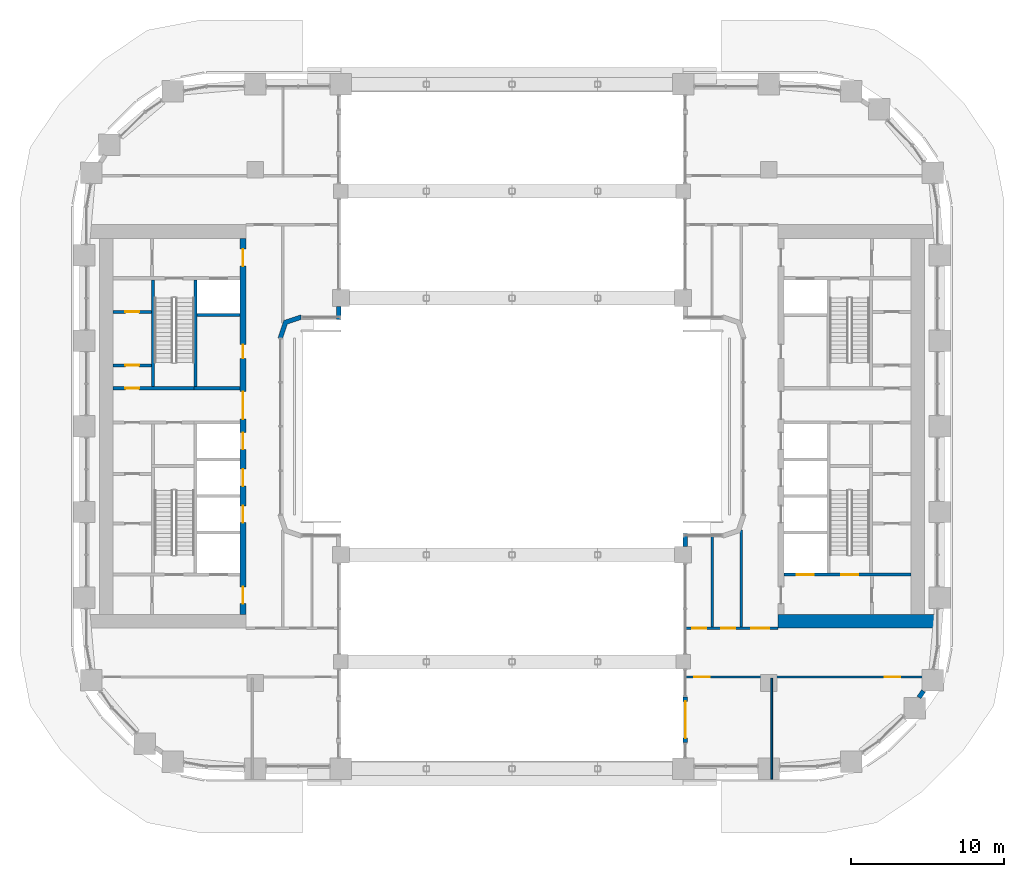
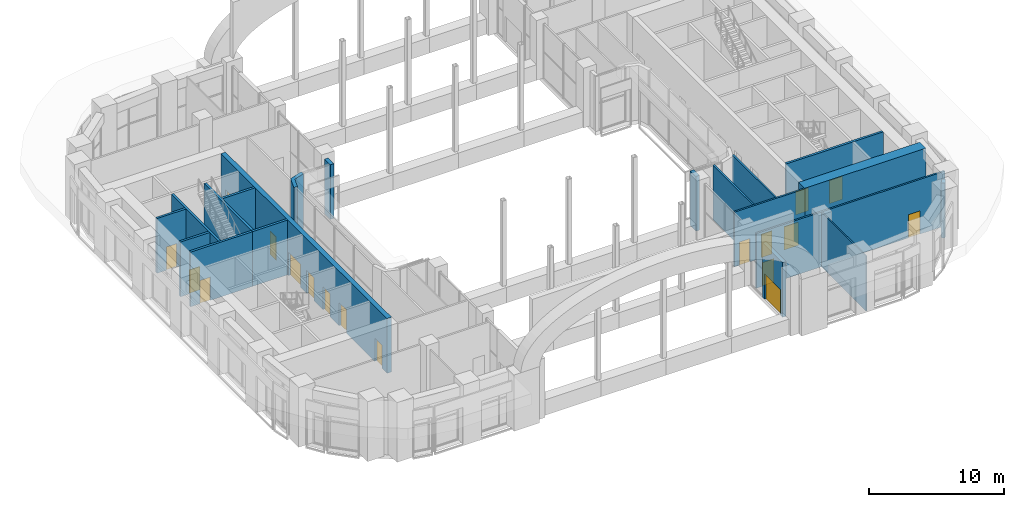
# One storey, part 15 of 27: 20 walls, 18 doors, 18 openings.
"""IFC4 building model written with IfcOpenShell, lengths in metres."""

from ifc_helpers import new_model, si_unit, direction, frame, frame_2d, origin, place, context, subcontext, project, spatial, polyline, rectangle, outline, extrude, material, layer, layer_set, type_object, element, fill, save


model = new_model("IFC4")

# Units and contexts
model_context = context("Model", 3, precision=1e-05, world=origin(), true_north=direction((0.0, 1.0)))
body_context = subcontext(model_context, "Body", "Model", "MODEL_VIEW")
ifc_project = project(units=[si_unit("LENGTHUNIT", "METRE"), si_unit("AREAUNIT", "SQUARE_METRE"), si_unit("VOLUMEUNIT", "CUBIC_METRE"), si_unit("PLANEANGLEUNIT", "RADIAN"), si_unit("MASSUNIT", "GRAM", prefix="KILO")], contexts=[model_context])

# Site, building, storey
site_placement = place(None, origin())
site = spatial("IfcSite", under=ifc_project, at=site_placement, CompositionType="ELEMENT")
building_placement = place(site_placement, origin())
building = spatial("IfcBuilding", under=site, at=building_placement, Name="Kiln Ring Residences", CompositionType="ELEMENT")
storey_placement = place(building_placement, frame((0.0, 0.0, 72.5)))
storey = spatial("IfcBuildingStorey", under=building, at=storey_placement, Name="L18", CompositionType="ELEMENT", Elevation=72.5)

# Wall, opening, door
ifc_material_1 = material(Name="Gypsum board on steel studs", Category="steel")
ifc_layer_1 = layer(ifc_material_1, 0.199951171875)
ifc_layer_set_1 = layer_set([ifc_layer_1], Name="CORE-PARTITION-200")
wall_type_1 = type_object("IfcWallType", Name="CORE-PARTITION-200", PredefinedType="PARTITIONING", material=ifc_layer_set_1)
wall_1_placement = place(storey_placement, frame((-23.60009765625, 4.0, 0.0), z_axis=(0.0, 0.0, 1.0), x_axis=(-1.0, 0.0, 0.0)))
wall_1 = element("IfcWall", 1, at=wall_1_placement, inside=storey, type_object=wall_type_1, Name="Core partition west L18 7", PredefinedType="PARTITIONING", context=body_context, shape_type="SweptSolid", body=[
    extrude(rectangle(XDim=2.5, YDim=0.199951171875, at=frame_2d((1.25, 0.0))), origin(), (0.0, 0.0, 1.0), 4.949951171875),
])
opening_1_placement = place(wall_1_placement, frame((0.800048828125, 0.0, 0.0)))
opening_1 = element("IfcOpeningElement", 2, at=opening_1_placement, cuts=wall_1, Name="Opening L18-CW18", PredefinedType="OPENING", context=body_context, shape_type="SweptSolid", body=[
    extrude(rectangle(XDim=0.89990234375, YDim=2.10009765625, at=frame_2d((0.449951171875, 1.050048828125))), frame((0.0, 0.10986328125, 0.0), z_axis=(0.0, -1.0, 0.0), x_axis=(1.0, 0.0, 0.0)), (0.0, 0.0, 1.0), 0.219970703125),
])
ifc_material_2 = material(Name="Steel door leaf", Category="steel")
door_type_1 = type_object("IfcDoorType", Name="CORE-DOOR-ROOM", OperationType="SINGLE_SWING_LEFT", PredefinedType="DOOR", material=ifc_material_2)
door_1_placement = place(opening_1_placement, origin())
door_1 = element("IfcDoor", 3, at=door_1_placement, inside=storey, type_object=door_type_1, Name="Electrical plant room L18-CW18", OperationType="SINGLE_SWING_LEFT", OverallHeight=2.10009765625, OverallWidth=0.89990234375, PredefinedType="DOOR", context=body_context, shape_type="SweptSolid", body=[
    extrude(rectangle(XDim=0.89990234375, YDim=2.10009765625, at=frame_2d((0.449951171875, 1.050048828125))), frame((0.0, 0.02490234375, 0.0), z_axis=(0.0, -1.0, 0.0), x_axis=(1.0, 0.0, 0.0)), (0.0, 0.0, 1.0), 0.050048828125),
])
fill(opening_1, door_1)

wall_2_placement = place(storey_placement, frame((-23.60009765625, 7.5, 0.0), z_axis=(0.0, 0.0, 1.0), x_axis=(-1.0, 0.0, 0.0)))
wall_2 = element("IfcWall", 4, at=wall_2_placement, inside=storey, type_object=wall_type_1, Name="Core partition west L18 8", PredefinedType="PARTITIONING", context=body_context, shape_type="SweptSolid", body=[
    extrude(rectangle(XDim=2.5, YDim=0.199951171875, at=frame_2d((1.25, 0.0))), origin(), (0.0, 0.0, 1.0), 4.949951171875),
])
opening_2_placement = place(wall_2_placement, frame((0.800048828125, 0.0, 0.0)))
opening_2 = element("IfcOpeningElement", 5, at=opening_2_placement, cuts=wall_2, Name="Opening L18-CW19", PredefinedType="OPENING", context=body_context, shape_type="SweptSolid", body=[
    extrude(rectangle(XDim=0.89990234375, YDim=2.10009765625, at=frame_2d((0.449951171875, 1.050048828125))), frame((0.0, 0.10986328125, 0.0), z_axis=(0.0, -1.0, 0.0), x_axis=(1.0, 0.0, 0.0)), (0.0, 0.0, 1.0), 0.219970703125),
])
door_2_placement = place(opening_2_placement, origin())
door_2 = element("IfcDoor", 6, at=door_2_placement, inside=storey, type_object=door_type_1, Name="UPS room L18-CW19", OperationType="SINGLE_SWING_RIGHT", OverallHeight=2.10009765625, OverallWidth=0.89990234375, PredefinedType="DOOR", context=body_context, shape_type="SweptSolid", body=[
    extrude(rectangle(XDim=0.89990234375, YDim=2.10009765625, at=frame_2d((0.449951171875, 1.050048828125))), frame((0.0, 0.02490234375, 0.0), z_axis=(0.0, -1.0, 0.0), x_axis=(1.0, 0.0, 0.0)), (0.0, 0.0, 1.0), 0.050048828125),
])
fill(opening_2, door_2)

# Walls
ifc_material_3 = material(Name="Gypsum shaft wall system")
ifc_layer_2 = layer(ifc_material_3, 0.199951171875)
ifc_layer_set_2 = layer_set([ifc_layer_2], Name="CORE-SHAFT-WALL-200")
wall_type_2 = type_object("IfcWallType", Name="CORE-SHAFT-WALL-200", PredefinedType="PARTITIONING", material=ifc_layer_set_2)
wall_3_placement = place(storey_placement, frame((-17.800048828125, 2.5, 0.0), z_axis=(0.0, 0.0, 1.0), x_axis=(-1.0, 0.0, 0.0)))
element("IfcWall", 7, at=wall_3_placement, inside=storey, type_object=wall_type_2, Name="Core partition west L18 13", PredefinedType="PARTITIONING", context=body_context, shape_type="SweptSolid", body=[
    extrude(rectangle(XDim=3.0, YDim=0.199951171875, at=frame_2d((1.5, 0.0))), origin(), (0.0, 0.0, 1.0), 4.949951171875),
])
wall_4_placement = place(storey_placement, frame((-17.800048828125, 7.300048828125, 0.0), z_axis=(0.0, 0.0, 1.0), x_axis=(-1.0, 0.0, 0.0)))
element("IfcWall", 8, at=wall_4_placement, inside=storey, type_object=wall_type_2, Name="Core partition west L18 14", PredefinedType="PARTITIONING", context=body_context, shape_type="SweptSolid", body=[
    extrude(rectangle(XDim=2.800048828125, YDim=0.199951171875, at=frame_2d((1.39990234375, 0.0))), origin(), (0.0, 0.0, 1.0), 4.949951171875),
])
ifc_material_4 = material(Name="Concrete C40/50", Category="concrete")
ifc_layer_3 = layer(ifc_material_4, 0.199951171875)
ifc_layer_set_3 = layer_set([ifc_layer_3], Name="CORE-WALL-RC200")
wall_type_3 = type_object("IfcWallType", Name="CORE-WALL-RC200", PredefinedType="SHEAR", material=ifc_layer_set_3)
wall_5_placement = place(storey_placement, frame((-20.699951171875, 2.60009765625, 0.0), z_axis=(0.0, 0.0, 1.0), x_axis=(0.0, 1.0, 0.0)))
element("IfcWall", 9, at=wall_5_placement, inside=storey, type_object=wall_type_3, Name="Core wall west L18 1", PredefinedType="SHEAR", context=body_context, shape_type="SweptSolid", body=[
    extrude(rectangle(XDim=7.0, YDim=0.199951171875, at=frame_2d((3.5, 0.0))), origin(), (0.0, 0.0, 1.0), 4.949951171875),
])

# Wall, opening, door
wall_6_placement = place(storey_placement, frame((-20.800048828125, 2.5, 0.0), z_axis=(0.0, 0.0, 1.0), x_axis=(-1.0, 0.0, 0.0)))
wall_6 = element("IfcWall", 10, at=wall_6_placement, inside=storey, type_object=wall_type_3, Name="Core wall west L18 3", PredefinedType="SHEAR", context=body_context, shape_type="SweptSolid", body=[
    extrude(rectangle(XDim=5.300048828125, YDim=0.199951171875, at=frame_2d((2.64990234375, 0.0))), origin(), (0.0, 0.0, 1.0), 4.949951171875),
])
opening_3_placement = place(wall_6_placement, frame((3.60009765625, 0.0, 0.0)))
opening_3 = element("IfcOpeningElement", 11, at=opening_3_placement, cuts=wall_6, Name="Opening L18-CW20", PredefinedType="OPENING", context=body_context, shape_type="SweptSolid", body=[
    extrude(rectangle(XDim=0.89990234375, YDim=2.10009765625, at=frame_2d((0.449951171875, 1.050048828125))), frame((0.0, 0.10986328125, 0.0), z_axis=(0.0, -1.0, 0.0), x_axis=(1.0, 0.0, 0.0)), (0.0, 0.0, 1.0), 0.219970703125),
])
door_3_placement = place(opening_3_placement, origin())
door_3 = element("IfcDoor", 12, at=door_3_placement, inside=storey, type_object=door_type_1, Name="Comms room L18-CW20", OperationType="SINGLE_SWING_LEFT", OverallHeight=2.10009765625, OverallWidth=0.89990234375, PredefinedType="DOOR", context=body_context, shape_type="SweptSolid", body=[
    extrude(rectangle(XDim=0.89990234375, YDim=2.10009765625, at=frame_2d((0.449951171875, 1.050048828125))), frame((0.0, 0.02490234375, 0.0), z_axis=(0.0, -1.0, 0.0), x_axis=(1.0, 0.0, 0.0)), (0.0, 0.0, 1.0), 0.050048828125),
])
fill(opening_3, door_3)

# Wall
wall_7_placement = place(storey_placement, frame((-23.5, 2.60009765625, 0.0), z_axis=(0.0, 0.0, 1.0), x_axis=(0.0, 1.0, 0.0)))
element("IfcWall", 13, at=wall_7_placement, inside=storey, type_object=wall_type_3, Name="Core wall west L18 10", PredefinedType="SHEAR", context=body_context, shape_type="SweptSolid", body=[
    extrude(rectangle(XDim=7.0, YDim=0.199951171875, at=frame_2d((3.5, 0.0))), origin(), (0.0, 0.0, 1.0), 4.949951171875),
])

# Wall, openings, doors
wall_8_placement = place(storey_placement, frame((17.800048828125, -9.699951171875, 0.0), z_axis=(0.0, 0.0, 1.0), x_axis=(1.0, 0.0, 0.0)))
wall_8 = element("IfcWall", 14, at=wall_8_placement, inside=storey, type_object=wall_type_3, Name="Core wall east L18 8", PredefinedType="SHEAR", context=body_context, shape_type="SweptSolid", body=[
    extrude(rectangle(XDim=8.300048828125, YDim=0.199951171875, at=frame_2d((4.14990234375, 0.0))), origin(), (0.0, 0.0, 1.0), 4.949951171875),
])
opening_4_placement = place(wall_8_placement, frame((0.85009765625, 0.0, 0.0)))
opening_4 = element("IfcOpeningElement", 15, at=opening_4_placement, cuts=wall_8, Name="Opening L18-CE01", PredefinedType="OPENING", context=body_context, shape_type="SweptSolid", body=[
    extrude(rectangle(XDim=1.10009765625, YDim=2.10009765625, at=frame_2d((0.550048828125, 1.050048828125))), frame((0.0, 0.10986328125, 0.0), z_axis=(0.0, -1.0, 0.0), x_axis=(1.0, 0.0, 0.0)), (0.0, 0.0, 1.0), 0.219970703125),
])
opening_5_placement = place(wall_8_placement, frame((3.75, 0.0, 0.0)))
opening_5 = element("IfcOpeningElement", 16, at=opening_5_placement, cuts=wall_8, Name="Opening L18-CE12", PredefinedType="OPENING", context=body_context, shape_type="SweptSolid", body=[
    extrude(rectangle(XDim=1.10009765625, YDim=2.10009765625, at=frame_2d((0.550048828125, 1.050048828125))), frame((0.0, 0.10986328125, 0.0), z_axis=(0.0, -1.0, 0.0), x_axis=(1.0, 0.0, 0.0)), (0.0, 0.0, 1.0), 0.219970703125),
])
ifc_material_5 = material(Name="Steel door leaf", Category="steel")
door_type_2 = type_object("IfcDoorType", Name="CORE-DOOR-LD", OperationType="DOUBLE_DOOR_SLIDING", PredefinedType="DOOR", material=ifc_material_5)
door_4_placement = place(opening_4_placement, origin())
door_4 = element("IfcDoor", 17, at=door_4_placement, inside=storey, type_object=door_type_2, Name="LD E-SV L18-CE01", OperationType="DOUBLE_DOOR_SLIDING", OverallHeight=2.10009765625, OverallWidth=1.10009765625, PredefinedType="DOOR", context=body_context, shape_type="SweptSolid", body=[
    extrude(rectangle(XDim=1.10009765625, YDim=2.10009765625, at=frame_2d((0.550048828125, 1.050048828125))), frame((0.0, 0.02490234375, 0.0), z_axis=(0.0, -1.0, 0.0), x_axis=(1.0, 0.0, 0.0)), (0.0, 0.0, 1.0), 0.050048828125),
])
fill(opening_4, door_4)
ifc_material_6 = material(Name="Steel door leaf", Category="steel")
door_type_3 = type_object("IfcDoorType", Name="CORE-DOOR-STAIR", OperationType="SINGLE_SWING_LEFT", PredefinedType="DOOR", material=ifc_material_6)
door_5_placement = place(opening_5_placement, origin())
door_5 = element("IfcDoor", 18, at=door_5_placement, inside=storey, type_object=door_type_3, Name="Stair E-STS L18-CE12", OperationType="SINGLE_SWING_RIGHT", OverallHeight=2.10009765625, OverallWidth=1.10009765625, PredefinedType="DOOR", context=body_context, shape_type="SweptSolid", body=[
    extrude(rectangle(XDim=1.10009765625, YDim=2.10009765625, at=frame_2d((0.550048828125, 1.050048828125))), frame((0.0, 0.02490234375, 0.0), z_axis=(0.0, -1.0, 0.0), x_axis=(1.0, 0.0, 0.0)), (0.0, 0.0, 1.0), 0.050048828125),
])
fill(opening_5, door_5)

ifc_material_7 = material(Name="Concrete C60/75", Category="concrete")
ifc_layer_4 = layer(ifc_material_7, 0.39990234375)
ifc_layer_set_4 = layer_set([ifc_layer_4], Name="CORE-WALL-RC400")
wall_type_4 = type_object("IfcWallType", Name="CORE-WALL-RC400", PredefinedType="SHEAR", material=ifc_layer_set_4)
wall_9_placement = place(storey_placement, frame((-17.60009765625, -12.300048828125, 0.0), z_axis=(0.0, 0.0, 1.0), x_axis=(0.0, 1.0, 0.0)))
wall_9 = element("IfcWall", 19, at=wall_9_placement, inside=storey, type_object=wall_type_4, Name="Core wall west L18 6", PredefinedType="SHEAR", context=body_context, shape_type="SweptSolid", body=[
    extrude(rectangle(XDim=24.60009765625, YDim=0.39990234375, at=frame_2d((12.300048828125, 0.0))), origin(), (0.0, 0.0, 1.0), 4.949951171875),
])
opening_6_placement = place(wall_9_placement, frame((6.0, 0.0, 0.0)))
opening_6 = element("IfcOpeningElement", 20, at=opening_6_placement, cuts=wall_9, Name="Opening L18-CW02", PredefinedType="OPENING", context=body_context, shape_type="SweptSolid", body=[
    extrude(rectangle(XDim=1.10009765625, YDim=2.10009765625, at=frame_2d((0.550048828125, 1.050048828125))), frame((0.0, 0.2099609375, 0.0), z_axis=(0.0, -1.0, 0.0), x_axis=(1.0, 0.0, 0.0)), (0.0, 0.0, 1.0), 0.419921875),
])
opening_7_placement = place(wall_9_placement, frame((8.39990234375, 0.0, 0.0)))
opening_7 = element("IfcOpeningElement", 21, at=opening_7_placement, cuts=wall_9, Name="Opening L18-CW03", PredefinedType="OPENING", context=body_context, shape_type="SweptSolid", body=[
    extrude(rectangle(XDim=1.10009765625, YDim=2.10009765625, at=frame_2d((0.550048828125, 1.050048828125))), frame((0.0, 0.2099609375, 0.0), z_axis=(0.0, -1.0, 0.0), x_axis=(1.0, 0.0, 0.0)), (0.0, 0.0, 1.0), 0.419921875),
])
opening_8_placement = place(wall_9_placement, frame((10.800048828125, 0.0, 0.0)))
opening_8 = element("IfcOpeningElement", 22, at=opening_8_placement, cuts=wall_9, Name="Opening L18-CW04", PredefinedType="OPENING", context=body_context, shape_type="SweptSolid", body=[
    extrude(rectangle(XDim=1.10009765625, YDim=2.10009765625, at=frame_2d((0.550048828125, 1.050048828125))), frame((0.0, 0.2099609375, 0.0), z_axis=(0.0, -1.0, 0.0), x_axis=(1.0, 0.0, 0.0)), (0.0, 0.0, 1.0), 0.419921875),
])
opening_9_placement = place(wall_9_placement, frame((16.75, 0.0, 0.0)))
opening_9 = element("IfcOpeningElement", 23, at=opening_9_placement, cuts=wall_9, Name="Opening L18-CW05", PredefinedType="OPENING", context=body_context, shape_type="SweptSolid", body=[
    extrude(rectangle(XDim=0.89990234375, YDim=2.10009765625, at=frame_2d((0.449951171875, 1.050048828125))), frame((0.0, 0.2099609375, 0.0), z_axis=(0.0, -1.0, 0.0), x_axis=(1.0, 0.0, 0.0)), (0.0, 0.0, 1.0), 0.419921875),
])
opening_10_placement = place(wall_9_placement, frame((22.800048828125, 0.0, 0.0)))
opening_10 = element("IfcOpeningElement", 24, at=opening_10_placement, cuts=wall_9, Name="Opening L18-CW07", PredefinedType="OPENING", context=body_context, shape_type="SweptSolid", body=[
    extrude(rectangle(XDim=1.10009765625, YDim=2.10009765625, at=frame_2d((0.550048828125, 1.050048828125))), frame((0.0, 0.2099609375, 0.0), z_axis=(0.0, -1.0, 0.0), x_axis=(1.0, 0.0, 0.0)), (0.0, 0.0, 1.0), 0.419921875),
])
opening_11_placement = place(wall_9_placement, frame((0.699951171875, 0.0, 0.0)))
opening_11 = element("IfcOpeningElement", 25, at=opening_11_placement, cuts=wall_9, Name="Opening L18-CW08", PredefinedType="OPENING", context=body_context, shape_type="SweptSolid", body=[
    extrude(rectangle(XDim=1.10009765625, YDim=2.10009765625, at=frame_2d((0.550048828125, 1.050048828125))), frame((0.0, 0.2099609375, 0.0), z_axis=(0.0, -1.0, 0.0), x_axis=(1.0, 0.0, 0.0)), (0.0, 0.0, 1.0), 0.419921875),
])
opening_12_placement = place(wall_9_placement, frame((12.77490234375, 0.0, 0.0)))
opening_12 = element("IfcOpeningElement", 26, at=opening_12_placement, cuts=wall_9, Name="Opening L18-CW13", PredefinedType="OPENING", context=body_context, shape_type="SweptSolid", body=[
    extrude(rectangle(XDim=1.800048828125, YDim=2.10009765625, at=frame_2d((0.89990234375, 1.050048828125))), frame((0.0, 0.2099609375, 0.0), z_axis=(0.0, -1.0, 0.0), x_axis=(1.0, 0.0, 0.0)), (0.0, 0.0, 1.0), 0.419921875),
])
door_6_placement = place(opening_6_placement, origin())
door_6 = element("IfcDoor", 27, at=door_6_placement, inside=storey, type_object=door_type_2, Name="LD W-L1 L18-CW02", OperationType="DOUBLE_DOOR_SLIDING", OverallHeight=2.10009765625, OverallWidth=1.10009765625, PredefinedType="DOOR", context=body_context, shape_type="SweptSolid", body=[
    extrude(rectangle(XDim=1.10009765625, YDim=2.10009765625, at=frame_2d((0.550048828125, 1.050048828125))), frame((0.0, 0.02490234375, 0.0), z_axis=(0.0, -1.0, 0.0), x_axis=(1.0, 0.0, 0.0)), (0.0, 0.0, 1.0), 0.050048828125),
])
fill(opening_6, door_6)
door_7_placement = place(opening_7_placement, origin())
door_7 = element("IfcDoor", 28, at=door_7_placement, inside=storey, type_object=door_type_2, Name="LD W-L2 L18-CW03", OperationType="DOUBLE_DOOR_SLIDING", OverallHeight=2.10009765625, OverallWidth=1.10009765625, PredefinedType="DOOR", context=body_context, shape_type="SweptSolid", body=[
    extrude(rectangle(XDim=1.10009765625, YDim=2.10009765625, at=frame_2d((0.550048828125, 1.050048828125))), frame((0.0, 0.02490234375, 0.0), z_axis=(0.0, -1.0, 0.0), x_axis=(1.0, 0.0, 0.0)), (0.0, 0.0, 1.0), 0.050048828125),
])
fill(opening_7, door_7)
door_8_placement = place(opening_8_placement, origin())
door_8 = element("IfcDoor", 29, at=door_8_placement, inside=storey, type_object=door_type_2, Name="LD W-L3 L18-CW04", OperationType="DOUBLE_DOOR_SLIDING", OverallHeight=2.10009765625, OverallWidth=1.10009765625, PredefinedType="DOOR", context=body_context, shape_type="SweptSolid", body=[
    extrude(rectangle(XDim=1.10009765625, YDim=2.10009765625, at=frame_2d((0.550048828125, 1.050048828125))), frame((0.0, 0.02490234375, 0.0), z_axis=(0.0, -1.0, 0.0), x_axis=(1.0, 0.0, 0.0)), (0.0, 0.0, 1.0), 0.050048828125),
])
fill(opening_8, door_8)
ifc_material_8 = material(Name="Steel door leaf", Category="steel")
door_type_4 = type_object("IfcDoorType", Name="CORE-DOOR-LOBBY", OperationType="SINGLE_SWING_LEFT", PredefinedType="DOOR", material=ifc_material_8)
door_9_placement = place(opening_10_placement, origin())
door_9 = element("IfcDoor", 30, at=door_9_placement, inside=storey, type_object=door_type_4, Name="FFL L18-CW07", OperationType="SINGLE_SWING_RIGHT", OverallHeight=2.10009765625, OverallWidth=1.10009765625, PredefinedType="DOOR", context=body_context, shape_type="SweptSolid", body=[
    extrude(rectangle(XDim=1.10009765625, YDim=2.10009765625, at=frame_2d((0.550048828125, 1.050048828125))), frame((0.0, 0.02490234375, 0.0), z_axis=(0.0, -1.0, 0.0), x_axis=(1.0, 0.0, 0.0)), (0.0, 0.0, 1.0), 0.050048828125),
])
fill(opening_10, door_9)
door_10_placement = place(opening_11_placement, origin())
door_10 = element("IfcDoor", 31, at=door_10_placement, inside=storey, type_object=door_type_4, Name="SVL L18-CW08", OperationType="SINGLE_SWING_LEFT", OverallHeight=2.10009765625, OverallWidth=1.10009765625, PredefinedType="DOOR", context=body_context, shape_type="SweptSolid", body=[
    extrude(rectangle(XDim=1.10009765625, YDim=2.10009765625, at=frame_2d((0.550048828125, 1.050048828125))), frame((0.0, 0.02490234375, 0.0), z_axis=(0.0, -1.0, 0.0), x_axis=(1.0, 0.0, 0.0)), (0.0, 0.0, 1.0), 0.050048828125),
])
fill(opening_11, door_10)
ifc_material_9 = material(Name="Steel door leaf", Category="steel")
door_type_5 = type_object("IfcDoorType", Name="CORE-DOOR-PASS", OperationType="DOUBLE_DOOR_SINGLE_SWING", PredefinedType="DOOR", material=ifc_material_9)
door_11_placement = place(opening_12_placement, origin())
door_11 = element("IfcDoor", 32, at=door_11_placement, inside=storey, type_object=door_type_5, Name="Core passage L18-CW13", OperationType="DOUBLE_DOOR_SINGLE_SWING", OverallHeight=2.10009765625, OverallWidth=1.800048828125, PredefinedType="DOOR", context=body_context, shape_type="SweptSolid", body=[
    extrude(rectangle(XDim=1.800048828125, YDim=2.10009765625, at=frame_2d((0.89990234375, 1.050048828125))), frame((0.0, 0.02490234375, 0.0), z_axis=(0.0, -1.0, 0.0), x_axis=(1.0, 0.0, 0.0)), (0.0, 0.0, 1.0), 0.050048828125),
])
fill(opening_12, door_11)
door_12_placement = place(opening_9_placement, origin())
door_12 = element("IfcDoor", 33, at=door_12_placement, inside=storey, type_object=door_type_1, Name="Housekeeping store L18-CW05", OperationType="SINGLE_SWING_LEFT", OverallHeight=2.10009765625, OverallWidth=0.89990234375, PredefinedType="DOOR", context=body_context, shape_type="SweptSolid", body=[
    extrude(rectangle(XDim=0.89990234375, YDim=2.10009765625, at=frame_2d((0.449951171875, 1.050048828125))), frame((0.0, 0.02490234375, 0.0), z_axis=(0.0, -1.0, 0.0), x_axis=(1.0, 0.0, 0.0)), (0.0, 0.0, 1.0), 0.050048828125),
])
fill(opening_9, door_12)

# Wall
ifc_material_10 = material(Name="Concrete C60/75", Category="concrete")
ifc_layer_5 = layer(ifc_material_10, 0.89990234375)
ifc_layer_set_5 = layer_set([ifc_layer_5], Name="CORE-WALL-RC900")
wall_type_5 = type_object("IfcWallType", Name="CORE-WALL-RC900", PredefinedType="SHEAR", material=ifc_layer_set_5)
wall_10_placement = place(storey_placement, frame((17.39990234375, -12.75, 0.0), z_axis=(0.0, 0.0, 1.0), x_axis=(1.0, 0.0, 0.0)))
element("IfcWall", 34, at=wall_10_placement, inside=storey, type_object=wall_type_5, Name="Core wall east L18 5", PredefinedType="SHEAR", context=body_context, shape_type="SweptSolid", body=[
    extrude(rectangle(XDim=10.400146484375, YDim=0.89990234375, at=frame_2d((5.2001953125, 0.0))), origin(), (0.0, 0.0, 1.0), 4.949951171875),
])

# Wall, opening, door
ifc_material_11 = material(Name="Brick masonry, dark clay brick", Category="masonry")
ifc_layer_6 = layer(ifc_material_11, 0.300048828125)
ifc_layer_set_6 = layer_set([ifc_layer_6], Name="EW-300 BRICK WALL")
wall_type_6 = type_object("IfcWallType", Name="EW-300 BRICK WALL", PredefinedType="SOLIDWALL", material=ifc_layer_set_6)
wall_11_placement = place(storey_placement, frame((11.35009765625, -17.699951171875, 0.0), z_axis=(0.0, 0.0, 1.0), x_axis=(0.0, -1.0, 0.0)))
wall_11 = element("IfcWall", 35, at=wall_11_placement, inside=storey, type_object=wall_type_6, Name="Facade wall L18 3", PredefinedType="SOLIDWALL", context=body_context, shape_type="SweptSolid", body=[
    extrude(rectangle(XDim=3.0, YDim=0.300048828125, at=frame_2d((1.5, 0.0))), origin(), (0.0, 0.0, 1.0), 4.949951171875),
])
opening_13_placement = place(wall_11_placement, frame((0.300048828125, 0.0, 0.0)))
opening_13 = element("IfcOpeningElement", 36, at=opening_13_placement, cuts=wall_11, Name="Opening EL18-3", PredefinedType="OPENING", context=body_context, shape_type="SweptSolid", body=[
    extrude(rectangle(XDim=2.39990234375, YDim=2.300048828125, at=frame_2d((1.199951171875, 1.14990234375))), frame((0.0, 0.159912109375, 0.0), z_axis=(0.0, -1.0, 0.0), x_axis=(1.0, 0.0, 0.0)), (0.0, 0.0, 1.0), 0.320068359375),
])
ifc_material_12 = material(Name="Aluminium and glass", Category="aluminium")
door_type_6 = type_object("IfcDoorType", Name="TERRACE DOOR 2400 x 2300", OperationType="DOUBLE_DOOR_SINGLE_SWING", PredefinedType="DOOR", material=ifc_material_12)
door_13_placement = place(opening_13_placement, origin())
door_13 = element("IfcDoor", 37, at=door_13_placement, inside=storey, type_object=door_type_6, Name="Terrace door EL18-3", OperationType="SINGLE_SWING_LEFT", OverallHeight=2.300048828125, OverallWidth=2.39990234375, PredefinedType="DOOR", context=body_context, shape_type="SweptSolid", body=[
    extrude(rectangle(XDim=2.39990234375, YDim=2.300048828125, at=frame_2d((1.199951171875, 1.14990234375))), frame((0.0, 0.02490234375, 0.0), z_axis=(0.0, -1.0, 0.0), x_axis=(1.0, 0.0, 0.0)), (0.0, 0.0, 1.0), 0.050048828125),
])
fill(opening_13, door_13)

# Walls
for number, where, z_axis, x_axis, name in (
    (38, (-11.35009765625, 7.0, 0.0), (0.0, 0.0, 1.0), (0.0, 1.0, 0.0), "Facade wall L18 7"),
    (39, (11.35009765625, -7.0, 0.0), (0.0, 0.0, 1.0), (0.0, -1.0, 0.0), "Facade wall L18 9"),
):
    element("IfcWall", number, at=place(storey_placement, frame(where, z_axis=z_axis, x_axis=x_axis)), inside=storey, type_object=wall_type_6, Name=name, PredefinedType="SOLIDWALL", context=body_context, shape_type="SweptSolid", body=[
        extrude(rectangle(XDim=0.85009765625, YDim=0.300048828125, at=frame_2d((0.425048828125, 0.0))), origin(), (0.0, 0.0, 1.0), 4.949951171875),
    ])
wall_12_placement = place(storey_placement, frame((26.635986328125, -17.740234375, 0.0), z_axis=(0.0, 0.0, 1.0), x_axis=(0.561913238827, 0.827196175059, 0.0)))
element("IfcWall", 40, at=wall_12_placement, inside=storey, type_object=wall_type_6, Name="Facade wall L18 10", PredefinedType="SOLIDWALL", context=body_context, shape_type="SweptSolid", body=[
    extrude(rectangle(XDim=0.521728515625, YDim=0.300048828125, at=frame_2d((0.2607421875, 0.0))), origin(), (0.0, 0.0, 1.0), 4.949951171875),
])
wall_13_placement = place(storey_placement, origin())
element("IfcWall", 41, at=wall_13_placement, inside=storey, type_object=wall_type_6, Name="Corner wall L18 1", PredefinedType="SOLIDWALL", context=body_context, shape_type="SweptSolid", body=[
    extrude(outline(polyline([(-15.0, 5.800048828125), (-14.699951171875, 6.699951171875), (-13.800048828125, 7.0), (-13.800048828125, 7.300048828125), (-13.8486328125, 7.300048828125), (-14.937255859375, 6.937255859375), (-15.300048828125, 5.8486328125), (-15.300048828125, 5.800048828125), (-15.0, 5.800048828125)])), origin(), (0.0, 0.0, 1.0), 4.949951171875),
])
ifc_material_13 = material(Name="Gypsum board on steel studs", Category="steel")
ifc_layer_7 = layer(ifc_material_13, 0.10009765625)
ifc_layer_set_7 = layer_set([ifc_layer_7], Name="PARTITION-100")
wall_type_7 = type_object("IfcWallType", Name="PARTITION-100", PredefinedType="PARTITIONING", material=ifc_layer_set_7)
wall_14_placement = place(storey_placement, frame((17.0, -23.080078125, 0.0), z_axis=(0.0, 0.0, 1.0), x_axis=(0.0, 1.0, 0.0)))
element("IfcWall", 42, at=wall_14_placement, inside=storey, type_object=wall_type_7, Name="Partition 017", PredefinedType="PARTITIONING", context=body_context, shape_type="SweptSolid", body=[
    extrude(rectangle(XDim=6.60498046875, YDim=0.10009765625, at=frame_2d((3.302490234375, 0.0))), origin(), (0.0, 0.0, 1.0), 4.949951171875),
])

# Wall, openings, doors
ifc_material_14 = material(Name="Brick masonry partition", Category="masonry")
ifc_layer_8 = layer(ifc_material_14, 0.14990234375)
ifc_layer_set_8 = layer_set([ifc_layer_8], Name="PARTITION-150-ei60")
wall_type_8 = type_object("IfcWallType", Name="PARTITION-150-ei60", PredefinedType="PARTITIONING", material=ifc_layer_set_8)
wall_15_placement = place(storey_placement, frame((11.384033203125, -16.39990234375, 0.0), z_axis=(0.0, 0.0, 1.0), x_axis=(1.0, 0.0, 0.0)))
wall_15 = element("IfcWall", 43, at=wall_15_placement, inside=storey, type_object=wall_type_8, Name="Partition 001", PredefinedType="PARTITIONING", context=body_context, shape_type="SweptSolid", body=[
    extrude(rectangle(XDim=16.135986328125, YDim=0.14990234375, at=frame_2d((8.06787109375, 0.0))), origin(), (0.0, 0.0, 1.0), 4.949951171875),
])
opening_14_placement = place(wall_15_placement, frame((0.555908203125, 0.0, 0.0)))
opening_14 = element("IfcOpeningElement", 44, at=opening_14_placement, cuts=wall_15, Name="Opening L18-D017", PredefinedType="OPENING", context=body_context, shape_type="SweptSolid", body=[
    extrude(rectangle(XDim=1.0, YDim=2.10009765625, at=frame_2d((0.5, 1.050048828125))), frame((0.0, 0.0849609375, 0.0), z_axis=(0.0, -1.0, 0.0), x_axis=(1.0, 0.0, 0.0)), (0.0, 0.0, 1.0), 0.169921875),
])
opening_15_placement = place(wall_15_placement, frame((13.01611328125, 0.0, 0.0)))
opening_15 = element("IfcOpeningElement", 45, at=opening_15_placement, cuts=wall_15, Name="Opening L18-D018", PredefinedType="OPENING", context=body_context, shape_type="SweptSolid", body=[
    extrude(rectangle(XDim=1.0, YDim=2.10009765625, at=frame_2d((0.5, 1.050048828125))), frame((0.0, 0.0849609375, 0.0), z_axis=(0.0, -1.0, 0.0), x_axis=(1.0, 0.0, 0.0)), (0.0, 0.0, 1.0), 0.169921875),
])
ifc_material_15 = material(Name="Steel faced fire door leaf", Category="steel")
door_type_7 = type_object("IfcDoorType", Name="FLAT-DOOR-1000-FR", OperationType="SINGLE_SWING_LEFT", PredefinedType="DOOR", material=ifc_material_15)
door_14_placement = place(opening_14_placement, origin())
door_14 = element("IfcDoor", 46, at=door_14_placement, inside=storey, type_object=door_type_7, Name="Door L18-D017", OperationType="SINGLE_SWING_LEFT", OverallHeight=2.10009765625, OverallWidth=1.0, PredefinedType="DOOR", context=body_context, shape_type="SweptSolid", body=[
    extrude(rectangle(XDim=1.0, YDim=2.10009765625, at=frame_2d((0.5, 1.050048828125))), frame((0.0, 0.02490234375, 0.0), z_axis=(0.0, -1.0, 0.0), x_axis=(1.0, 0.0, 0.0)), (0.0, 0.0, 1.0), 0.050048828125),
])
fill(opening_14, door_14)
door_15_placement = place(opening_15_placement, origin())
door_15 = element("IfcDoor", 47, at=door_15_placement, inside=storey, type_object=door_type_7, Name="Door L18-D018", OperationType="SINGLE_SWING_RIGHT", OverallHeight=2.10009765625, OverallWidth=1.0, PredefinedType="DOOR", context=body_context, shape_type="SweptSolid", body=[
    extrude(rectangle(XDim=1.0, YDim=2.10009765625, at=frame_2d((0.5, 1.050048828125))), frame((0.0, 0.02490234375, 0.0), z_axis=(0.0, -1.0, 0.0), x_axis=(1.0, 0.0, 0.0)), (0.0, 0.0, 1.0), 0.050048828125),
])
fill(opening_15, door_15)

wall_16_placement = place(storey_placement, frame((11.384033203125, -13.199951171875, 0.0), z_axis=(0.0, 0.0, 1.0), x_axis=(1.0, 0.0, 0.0)))
wall_16 = element("IfcWall", 48, at=wall_16_placement, inside=storey, type_object=wall_type_8, Name="Partition 003", PredefinedType="PARTITIONING", context=body_context, shape_type="SweptSolid", body=[
    extrude(rectangle(XDim=6.015869140625, YDim=0.14990234375, at=frame_2d((3.0078125, 0.0))), origin(), (0.0, 0.0, 1.0), 4.949951171875),
])
opening_16_placement = place(wall_16_placement, frame((4.26611328125, 0.0, 0.0)))
opening_16 = element("IfcOpeningElement", 49, at=opening_16_placement, cuts=wall_16, Name="Opening L18-D014", PredefinedType="OPENING", context=body_context, shape_type="SweptSolid", body=[
    extrude(rectangle(XDim=1.199951171875, YDim=2.10009765625, at=frame_2d((0.60009765625, 1.050048828125))), frame((0.0, 0.0849609375, 0.0), z_axis=(0.0, -1.0, 0.0), x_axis=(1.0, 0.0, 0.0)), (0.0, 0.0, 1.0), 0.169921875),
])
opening_17_placement = place(wall_16_placement, frame((0.416015625, 0.0, 0.0)))
opening_17 = element("IfcOpeningElement", 50, at=opening_17_placement, cuts=wall_16, Name="Opening L18-D015", PredefinedType="OPENING", context=body_context, shape_type="SweptSolid", body=[
    extrude(rectangle(XDim=0.89990234375, YDim=2.10009765625, at=frame_2d((0.449951171875, 1.050048828125))), frame((0.0, 0.0849609375, 0.0), z_axis=(0.0, -1.0, 0.0), x_axis=(1.0, 0.0, 0.0)), (0.0, 0.0, 1.0), 0.169921875),
])
opening_18_placement = place(wall_16_placement, frame((2.31591796875, 0.0, 0.0)))
opening_18 = element("IfcOpeningElement", 51, at=opening_18_placement, cuts=wall_16, Name="Opening L18-D016", PredefinedType="OPENING", context=body_context, shape_type="SweptSolid", body=[
    extrude(rectangle(XDim=0.89990234375, YDim=2.10009765625, at=frame_2d((0.449951171875, 1.050048828125))), frame((0.0, 0.0849609375, 0.0), z_axis=(0.0, -1.0, 0.0), x_axis=(1.0, 0.0, 0.0)), (0.0, 0.0, 1.0), 0.169921875),
])
ifc_material_16 = material(Name="Steel faced fire door leaf", Category="steel")
door_type_8 = type_object("IfcDoorType", Name="FLAT-DOOR-1200-FR", OperationType="SINGLE_SWING_LEFT", PredefinedType="DOOR", material=ifc_material_16)
door_16_placement = place(opening_16_placement, origin())
door_16 = element("IfcDoor", 52, at=door_16_placement, inside=storey, type_object=door_type_8, Name="Door L18-D014", OperationType="SINGLE_SWING_LEFT", OverallHeight=2.10009765625, OverallWidth=1.199951171875, PredefinedType="DOOR", context=body_context, shape_type="SweptSolid", body=[
    extrude(rectangle(XDim=1.199951171875, YDim=2.10009765625, at=frame_2d((0.60009765625, 1.050048828125))), frame((0.0, 0.02490234375, 0.0), z_axis=(0.0, -1.0, 0.0), x_axis=(1.0, 0.0, 0.0)), (0.0, 0.0, 1.0), 0.050048828125),
])
fill(opening_16, door_16)
ifc_material_17 = material(Name="Steel faced fire door leaf", Category="steel")
door_type_9 = type_object("IfcDoorType", Name="FLAT-DOOR-900-FR", OperationType="SINGLE_SWING_LEFT", PredefinedType="DOOR", material=ifc_material_17)
door_17_placement = place(opening_17_placement, origin())
door_17 = element("IfcDoor", 53, at=door_17_placement, inside=storey, type_object=door_type_9, Name="Door L18-D015", OperationType="SINGLE_SWING_LEFT", OverallHeight=2.10009765625, OverallWidth=0.89990234375, PredefinedType="DOOR", context=body_context, shape_type="SweptSolid", body=[
    extrude(rectangle(XDim=0.89990234375, YDim=2.10009765625, at=frame_2d((0.449951171875, 1.050048828125))), frame((0.0, 0.02490234375, 0.0), z_axis=(0.0, -1.0, 0.0), x_axis=(1.0, 0.0, 0.0)), (0.0, 0.0, 1.0), 0.050048828125),
])
fill(opening_17, door_17)
door_18_placement = place(opening_18_placement, origin())
door_18 = element("IfcDoor", 54, at=door_18_placement, inside=storey, type_object=door_type_9, Name="Door L18-D016", OperationType="SINGLE_SWING_RIGHT", OverallHeight=2.10009765625, OverallWidth=0.89990234375, PredefinedType="DOOR", context=body_context, shape_type="SweptSolid", body=[
    extrude(rectangle(XDim=0.89990234375, YDim=2.10009765625, at=frame_2d((0.449951171875, 1.050048828125))), frame((0.0, 0.02490234375, 0.0), z_axis=(0.0, -1.0, 0.0), x_axis=(1.0, 0.0, 0.0)), (0.0, 0.0, 1.0), 0.050048828125),
])
fill(opening_18, door_18)

# Walls
wall_17_placement = place(storey_placement, frame((13.10009765625, -13.125, 0.0), z_axis=(0.0, 0.0, 1.0), x_axis=(0.0, 1.0, 0.0)))
element("IfcWall", 55, at=wall_17_placement, inside=storey, type_object=wall_type_8, Name="Partition 014", PredefinedType="PARTITIONING", context=body_context, shape_type="SweptSolid", body=[
    extrude(rectangle(XDim=5.94091796875, YDim=0.14990234375, at=frame_2d((2.970458984375, 0.0))), origin(), (0.0, 0.0, 1.0), 4.949951171875),
])
wall_18_placement = place(storey_placement, frame((15.0, -13.125, 0.0), z_axis=(0.0, 0.0, 1.0), x_axis=(0.0, 1.0, 0.0)))
element("IfcWall", 56, at=wall_18_placement, inside=storey, type_object=wall_type_8, Name="Partition 015", PredefinedType="PARTITIONING", context=body_context, shape_type="SweptSolid", body=[
    extrude(rectangle(XDim=6.356201171875, YDim=0.14990234375, at=frame_2d((3.17822265625, 0.0))), origin(), (0.0, 0.0, 1.0), 4.949951171875),
])

save(model, "model.ifc")
